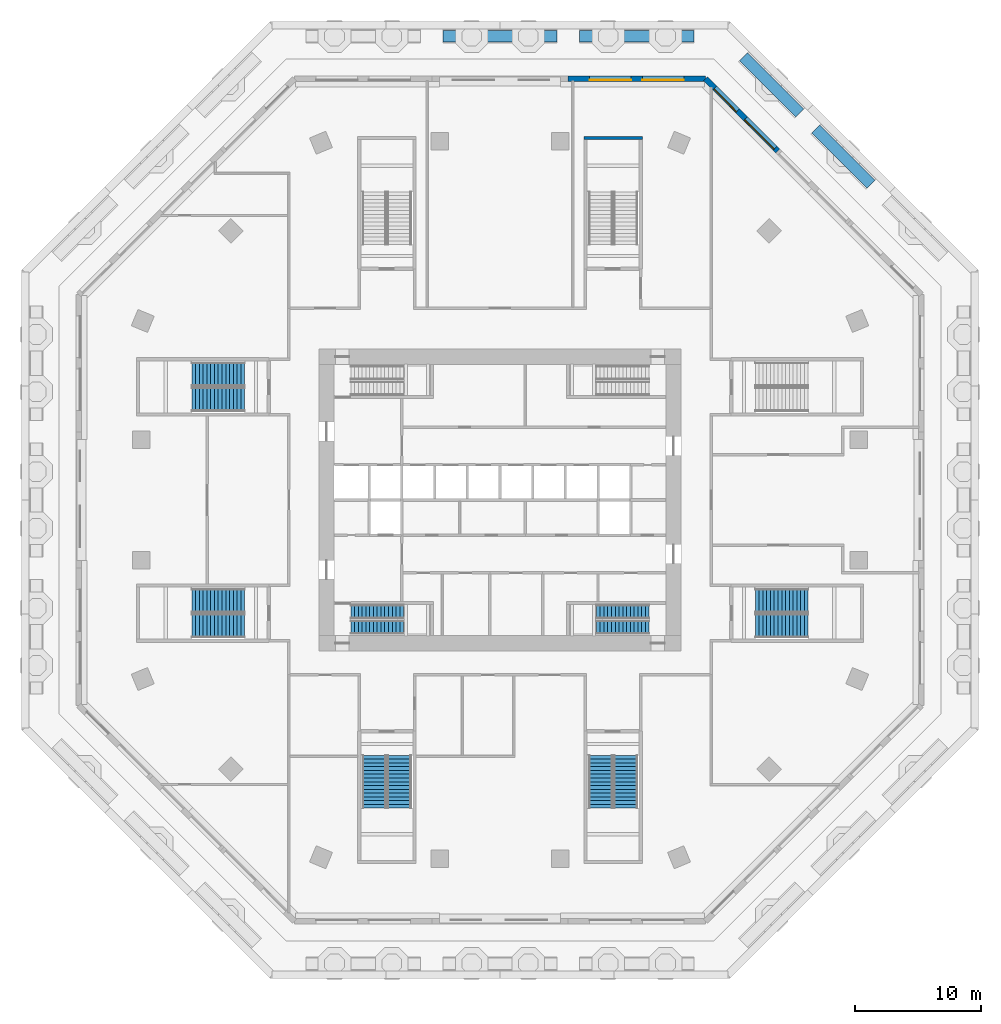
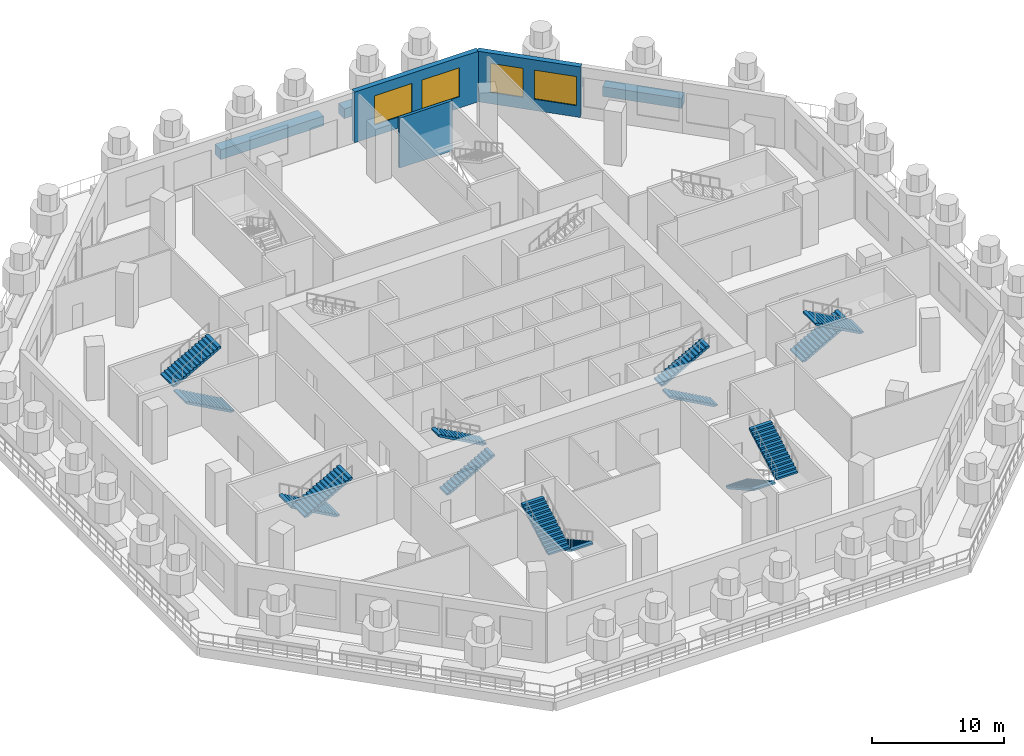
# One storey, part 9 of 13: 14 stair flights, 7 walls, 4 windows, 4 openings, 7 elements without a shape of their own.
"""IFC4 building model written with IfcOpenShell, lengths in metres."""

from ifc_helpers import new_model, si_unit, direction, frame, frame_2d, origin, place, context, subcontext, project, spatial, polyline, rectangle, outline, extrude, material, layer, layer_set, type_object, element, fill, aggregate, save


model = new_model("IFC4")

# Units and contexts
model_context = context("Model", 3, precision=1e-05, world=origin(), true_north=direction((0.0, 1.0)))
body_context = subcontext(model_context, "Body", "Model", "MODEL_VIEW")
ifc_project = project(units=[si_unit("LENGTHUNIT", "METRE"), si_unit("AREAUNIT", "SQUARE_METRE"), si_unit("VOLUMEUNIT", "CUBIC_METRE"), si_unit("PLANEANGLEUNIT", "RADIAN"), si_unit("MASSUNIT", "GRAM", prefix="KILO")], contexts=[model_context])

# Site, building, storey
site_placement = place(None, origin())
site = spatial("IfcSite", under=ifc_project, at=site_placement, CompositionType="ELEMENT")
building_placement = place(site_placement, origin())
building = spatial("IfcBuilding", under=site, at=building_placement, Name="Msitu Wima Residences", CompositionType="ELEMENT")
storey_placement = place(building_placement, frame((0.0, 0.0, 16.0)))
storey = spatial("IfcBuildingStorey", under=building, at=storey_placement, Name="L03", CompositionType="ELEMENT", Elevation=16.0)

# Wall, openings, windows
ifc_material_1 = material(Name="Brick (red buff mix), cavity wall of two leaves", Category="masonry")
ifc_layer_1 = layer(ifc_material_1, 0.449951171875)
ifc_layer_set_1 = layer_set([ifc_layer_1], Name="Brick (red buff mix), cavity wall of two leaves")
wall_type_1 = type_object("IfcWallType", Name="Brick infill wall BW450 podium", PredefinedType="ELEMENTEDWALL", material=ifc_layer_set_1)
wall_1_placement = place(storey_placement, frame((22.101806640625, 27.780517578125, 0.0), z_axis=(0.0, 0.0, 1.0), x_axis=(-0.70712180699, 0.707091755064, 0.0)))
wall_1 = element("IfcWall", 1, at=wall_1_placement, inside=storey, type_object=wall_type_1, Name="Brick infill wall L03 NE2", PredefinedType="ELEMENTEDWALL", context=body_context, shape_type="SweptSolid", body=[
    extrude(rectangle(XDim=8.1240234375, YDim=0.449951171875, at=frame_2d((4.06201171875, 0.0))), origin(), (0.0, 0.0, 1.0), 4.699951171875),
])
opening_1_placement = place(wall_1_placement, frame((0.31201171875, 0.0, 1.050048828125)))
opening_1 = element("IfcOpeningElement", 2, at=opening_1_placement, cuts=wall_1, Name="Opening W03.014", PredefinedType="OPENING", context=body_context, shape_type="SweptSolid", body=[
    extrude(rectangle(XDim=3.300048828125, YDim=2.699951171875, at=frame_2d((1.64990234375, 1.35009765625))), frame((0.0, 0.23486328125, 0.0), z_axis=(0.0, -1.0, 0.0), x_axis=(1.0, 0.0, 0.0)), (0.0, 0.0, 1.0), 0.469970703125),
])
opening_2_placement = place(wall_1_placement, frame((4.511962890625, 0.0, 1.050048828125)))
opening_2 = element("IfcOpeningElement", 3, at=opening_2_placement, cuts=wall_1, Name="Opening W03.015", PredefinedType="OPENING", context=body_context, shape_type="SweptSolid", body=[
    extrude(rectangle(XDim=2.56005859375, YDim=2.699951171875, at=frame_2d((1.280029296875, 1.35009765625))), frame((0.0, 0.23486328125, 0.0), z_axis=(0.0, -1.0, 0.0), x_axis=(1.0, 0.0, 0.0)), (0.0, 0.0, 1.0), 0.469970703125),
])
ifc_material_2 = material(Name="Anodised aluminium, bronze finish, clear low-emissivity double glazing", Category="aluminium")
window_type_1 = type_object("IfcWindowType", Name="Window W2560x2700", PartitioningType="DOUBLE_PANEL_VERTICAL", PredefinedType="WINDOW", material=ifc_material_2)
window_1_placement = place(opening_2_placement, origin())
window_1 = element("IfcWindow", 4, at=window_1_placement, inside=storey, type_object=window_type_1, Name="Window L03 NE2.2a", OverallHeight=2.699951171875, OverallWidth=2.56005859375, PartitioningType="SINGLE_PANEL", PredefinedType="WINDOW", context=body_context, shape_type="SweptSolid", body=[
    extrude(rectangle(XDim=2.56005859375, YDim=2.699951171875, at=frame_2d((1.280029296875, 1.35009765625))), frame((0.0, 0.135009765625, 0.0), z_axis=(0.0, -1.0, 0.0), x_axis=(1.0, 0.0, 0.0)), (0.0, 0.0, 1.0), 0.06005859375),
])
fill(opening_2, window_1)
window_type_2 = type_object("IfcWindowType", Name="Window W3300x2700", PartitioningType="DOUBLE_PANEL_VERTICAL", PredefinedType="WINDOW", material=ifc_material_2)
window_2_placement = place(opening_1_placement, origin())
window_2 = element("IfcWindow", 5, at=window_2_placement, inside=storey, type_object=window_type_2, Name="Window L03 NE2.1", OverallHeight=2.699951171875, OverallWidth=3.300048828125, PartitioningType="SINGLE_PANEL", PredefinedType="WINDOW", context=body_context, shape_type="SweptSolid", body=[
    extrude(rectangle(XDim=3.300048828125, YDim=2.699951171875, at=frame_2d((1.64990234375, 1.35009765625))), frame((0.0, 0.135009765625, 0.0), z_axis=(0.0, -1.0, 0.0), x_axis=(1.0, 0.0, 0.0)), (0.0, 0.0, 1.0), 0.06005859375),
])
fill(opening_1, window_2)

wall_2_placement = place(storey_placement, frame((16.357177734375, 33.52490234375, 0.0), z_axis=(0.0, 0.0, 1.0), x_axis=(-1.0, 0.0, 0.0)))
wall_2 = element("IfcWall", 6, at=wall_2_placement, inside=storey, type_object=wall_type_1, Name="Brick infill wall L03 N0", PredefinedType="ELEMENTEDWALL", context=body_context, shape_type="SweptSolid", body=[
    extrude(rectangle(XDim=10.935791015625, YDim=0.449951171875, at=frame_2d((5.4677734375, 0.0))), origin(), (0.0, 0.0, 1.0), 4.699951171875),
])
opening_3_placement = place(wall_2_placement, frame((1.718017578125, 0.0, 1.050048828125)))
opening_3 = element("IfcOpeningElement", 7, at=opening_3_placement, cuts=wall_2, Name="Opening W03.006", PredefinedType="OPENING", context=body_context, shape_type="SweptSolid", body=[
    extrude(rectangle(XDim=3.300048828125, YDim=2.699951171875, at=frame_2d((1.64990234375, 1.35009765625))), frame((0.0, 0.23486328125, 0.0), z_axis=(0.0, -1.0, 0.0), x_axis=(1.0, 0.0, 0.0)), (0.0, 0.0, 1.0), 0.469970703125),
])
opening_4_placement = place(wall_2_placement, frame((5.91796875, 0.0, 1.050048828125)))
opening_4 = element("IfcOpeningElement", 8, at=opening_4_placement, cuts=wall_2, Name="Opening W03.007", PredefinedType="OPENING", context=body_context, shape_type="SweptSolid", body=[
    extrude(rectangle(XDim=3.300048828125, YDim=2.699951171875, at=frame_2d((1.64990234375, 1.35009765625))), frame((0.0, 0.23486328125, 0.0), z_axis=(0.0, -1.0, 0.0), x_axis=(1.0, 0.0, 0.0)), (0.0, 0.0, 1.0), 0.469970703125),
])
window_3_placement = place(opening_3_placement, origin())
window_3 = element("IfcWindow", 9, at=window_3_placement, inside=storey, type_object=window_type_2, Name="Window L03 N0.1", OverallHeight=2.699951171875, OverallWidth=3.300048828125, PartitioningType="SINGLE_PANEL", PredefinedType="WINDOW", context=body_context, shape_type="SweptSolid", body=[
    extrude(rectangle(XDim=3.300048828125, YDim=2.699951171875, at=frame_2d((1.64990234375, 1.35009765625))), frame((0.0, 0.135009765625, 0.0), z_axis=(0.0, -1.0, 0.0), x_axis=(1.0, 0.0, 0.0)), (0.0, 0.0, 1.0), 0.06005859375),
])
fill(opening_3, window_3)
window_4_placement = place(opening_4_placement, origin())
window_4 = element("IfcWindow", 10, at=window_4_placement, inside=storey, type_object=window_type_2, Name="Window L03 N0.2", OverallHeight=2.699951171875, OverallWidth=3.300048828125, PartitioningType="SINGLE_PANEL", PredefinedType="WINDOW", context=body_context, shape_type="SweptSolid", body=[
    extrude(rectangle(XDim=3.300048828125, YDim=2.699951171875, at=frame_2d((1.64990234375, 1.35009765625))), frame((0.0, 0.135009765625, 0.0), z_axis=(0.0, -1.0, 0.0), x_axis=(1.0, 0.0, 0.0)), (0.0, 0.0, 1.0), 0.06005859375),
])
fill(opening_4, window_4)

# Walls
ifc_material_3 = material(Name="Concrete C50/60", Category="concrete")
ifc_layer_2 = layer(ifc_material_3, 0.25)
ifc_layer_set_2 = layer_set([ifc_layer_2], Name="Concrete C50/60")
wall_type_2 = type_object("IfcWallType", Name="Stair enclosure wall SW250", PredefinedType="SHEAR", material=ifc_layer_set_2)
wall_3_placement = place(storey_placement, frame((6.675048828125, 28.800048828125, 0.0), z_axis=(0.0, 0.0, 1.0), x_axis=(1.0, 0.0, 0.0)))
element("IfcWall", 11, at=wall_3_placement, inside=storey, type_object=wall_type_2, Name="Stair enclosure wall", PredefinedType="SHEAR", context=body_context, shape_type="SweptSolid", body=[
    extrude(rectangle(XDim=4.64990234375, YDim=0.25, at=frame_2d((2.324951171875, 0.0))), origin(), (0.0, 0.0, 1.0), 4.64990234375),
])
ifc_material_4 = material(Name="Facing brick")
ifc_layer_3 = layer(ifc_material_4, 0.06494140625, Name="Facing brick")
ifc_material_5 = material(Name="Concrete C40/50", Category="concrete")
ifc_layer_4 = layer(ifc_material_5, 0.381103515625, Name="Concrete C40/50")
ifc_material_6 = material(Name="Waterproofing membrane")
ifc_layer_5 = layer(ifc_material_6, 0.00390625, Name="Waterproofing membrane")
ifc_material_7 = material(Name="Planting soil and planting")
ifc_layer_6 = layer(ifc_material_7, 0.449951171875, Name="Planting soil and planting")
ifc_layer_set_3 = layer_set([ifc_layer_3, ifc_layer_4, ifc_layer_5, ifc_layer_6], Name="Concrete C40/50")
wall_type_3 = type_object("IfcWallType", Name="Terrace planter PLANTER PL900", PredefinedType="USERDEFINED", material=ifc_layer_set_3)
wall_4_placement = place(storey_placement, frame((29.530517578125, 25.12451171875, 0.0), z_axis=(0.0, 0.0, 1.0), x_axis=(-0.707106781187, 0.707106781187, 0.0)))
element("IfcWall", 12, at=wall_4_placement, inside=storey, type_object=wall_type_3, Name="Terrace planter L03 NE1", ObjectType="PLANTER", PredefinedType="USERDEFINED", context=body_context, shape_type="SweptSolid", body=[
    extrude(rectangle(XDim=6.23095703125, YDim=0.89990234375, at=frame_2d((3.115478515625, 0.0))), origin(), (0.0, 0.0, 1.0), 0.89990234375),
])
wall_5_placement = place(storey_placement, frame((23.851806640625, 30.80322265625, 0.0), z_axis=(0.0, 0.0, 1.0), x_axis=(-0.70708747847, 0.707126083377, 0.0)))
element("IfcWall", 13, at=wall_5_placement, inside=storey, type_object=wall_type_3, Name="Terrace planter L03 NE2", ObjectType="PLANTER", PredefinedType="USERDEFINED", context=body_context, shape_type="SweptSolid", body=[
    extrude(rectangle(XDim=6.323974609375, YDim=0.89990234375, at=frame_2d((3.162109375, 0.0))), origin(), (0.0, 0.0, 1.0), 0.89990234375),
])
wall_6_placement = place(storey_placement, frame((15.457275390625, 36.89990234375, 0.0), z_axis=(0.0, 0.0, 1.0), x_axis=(-1.0, 0.0, 0.0)))
element("IfcWall", 14, at=wall_6_placement, inside=storey, type_object=wall_type_3, Name="Terrace planter L03 N0", ObjectType="PLANTER", PredefinedType="USERDEFINED", context=body_context, shape_type="SweptSolid", body=[
    extrude(rectangle(XDim=9.135986328125, YDim=0.89990234375, at=frame_2d((4.56787109375, 0.0))), origin(), (0.0, 0.0, 1.0), 0.89990234375),
])
wall_7_placement = place(storey_placement, frame((4.521240234375, 36.89990234375, 0.0), z_axis=(0.0, 0.0, 1.0), x_axis=(-1.0, 0.0, 0.0)))
element("IfcWall", 15, at=wall_7_placement, inside=storey, type_object=wall_type_3, Name="Terrace planter L03 N1", ObjectType="PLANTER", PredefinedType="USERDEFINED", context=body_context, shape_type="SweptSolid", body=[
    extrude(rectangle(XDim=9.04248046875, YDim=0.89990234375, at=frame_2d((4.521240234375, 0.0))), origin(), (0.0, 0.0, 1.0), 0.89990234375),
])

# Stair, stair flights
stair_type_1 = type_object("IfcStairType", Name="Exit stair ES1667-110", PredefinedType="HALF_TURN_STAIR", material=ifc_material_5)
stair_1_placement = place(storey_placement, origin())
stair_1 = element("IfcStair", 16, at=stair_1_placement, inside=storey, type_object=stair_type_1, Name="Exit stair 2", PredefinedType="HALF_TURN_STAIR")
stair_flight_type_1 = type_object("IfcStairFlightType", Name="Exit stair flight ES1667-110", PredefinedType="STRAIGHT", material=ifc_material_5)
stair_flight_1_placement = place(storey_placement, frame((-11.875, -10.125, 0.0), z_axis=(0.0, 0.0, 1.0), x_axis=(1.0, 0.0, 0.0)))
stair_flight_1 = element("IfcStairFlight", 17, at=stair_flight_1_placement, type_object=stair_flight_type_1, Name="S2 flight 1", NumberOfRisers=15, NumberOfTreads=14, PredefinedType="STRAIGHT", RiserHeight=0.166666667, TreadLength=0.3, context=body_context, shape_type="SweptSolid", body=[
    extrude(outline(polyline([(0.0, 0.0), (0.0, 0.166748046875), (0.300048828125, 0.166748046875), (0.300048828125, 0.333251953125), (0.60009765625, 0.333251953125), (0.60009765625, 0.5), (0.89990234375, 0.5), (0.89990234375, 0.666748046875), (1.199951171875, 0.666748046875), (1.199951171875, 0.833251953125), (1.5, 0.833251953125), (1.5, 1.0), (1.800048828125, 1.0), (1.800048828125, 1.166748046875), (2.10009765625, 1.166748046875), (2.10009765625, 1.333251953125), (2.39990234375, 1.333251953125), (2.39990234375, 1.5), (2.699951171875, 1.5), (2.699951171875, 1.666748046875), (3.0, 1.666748046875), (3.0, 1.833251953125), (3.300048828125, 1.833251953125), (3.300048828125, 2.0), (3.60009765625, 2.0), (3.60009765625, 2.166748046875), (3.89990234375, 2.166748046875), (3.89990234375, 2.333251953125), (4.199951171875, 2.333251953125), (4.199951171875, 2.5), (4.199951171875, 2.161865234375), (0.30859375, 0.0), (0.0, 0.0)])), frame((0.0, 0.550048828125, 0.0), z_axis=(0.0, -1.0, 0.0), x_axis=(1.0, 0.0, 0.0)), (0.0, 0.0, 1.0), 1.10009765625),
])
stair_flight_2_placement = place(storey_placement, frame((-7.675048828125, -8.875, 2.5), z_axis=(0.0, 0.0, 1.0), x_axis=(-1.0, 0.0, 0.0)))
stair_flight_2 = element("IfcStairFlight", 18, at=stair_flight_2_placement, type_object=stair_flight_type_1, Name="S2 flight 2", NumberOfRisers=15, NumberOfTreads=14, PredefinedType="STRAIGHT", RiserHeight=0.166666667, TreadLength=0.3, context=body_context, shape_type="SweptSolid", body=[
    extrude(outline(polyline([(0.0, 0.0), (0.0, 0.166748046875), (0.300048828125, 0.166748046875), (0.300048828125, 0.333251953125), (0.60009765625, 0.333251953125), (0.60009765625, 0.5), (0.89990234375, 0.5), (0.89990234375, 0.666748046875), (1.199951171875, 0.666748046875), (1.199951171875, 0.833251953125), (1.5, 0.833251953125), (1.5, 1.0), (1.800048828125, 1.0), (1.800048828125, 1.166748046875), (2.10009765625, 1.166748046875), (2.10009765625, 1.333251953125), (2.39990234375, 1.333251953125), (2.39990234375, 1.5), (2.699951171875, 1.5), (2.699951171875, 1.666748046875), (3.0, 1.666748046875), (3.0, 1.833251953125), (3.300048828125, 1.833251953125), (3.300048828125, 2.0), (3.60009765625, 2.0), (3.60009765625, 2.166748046875), (3.89990234375, 2.166748046875), (3.89990234375, 2.333251953125), (4.199951171875, 2.333251953125), (4.199951171875, 2.5), (4.199951171875, 2.161865234375), (0.30859375, 0.0), (0.0, 0.0)])), frame((0.0, 0.550048828125, 0.0), z_axis=(0.0, -1.0, 0.0), x_axis=(1.0, 0.0, 0.0)), (0.0, 0.0, 1.0), 1.10009765625),
])
aggregate(stair_1, [stair_flight_1, stair_flight_2])

stair_2_placement = place(storey_placement, origin())
stair_2 = element("IfcStair", 19, at=stair_2_placement, inside=storey, type_object=stair_type_1, Name="Exit stair 4", PredefinedType="HALF_TURN_STAIR")
stair_flight_3_placement = place(storey_placement, frame((11.875, -10.125, 0.0), z_axis=(0.0, 0.0, 1.0), x_axis=(-1.0, 0.0, 0.0)))
stair_flight_3 = element("IfcStairFlight", 20, at=stair_flight_3_placement, type_object=stair_flight_type_1, Name="S4 flight 1", NumberOfRisers=15, NumberOfTreads=14, PredefinedType="STRAIGHT", RiserHeight=0.166666667, TreadLength=0.3, context=body_context, shape_type="SweptSolid", body=[
    extrude(outline(polyline([(0.0, 0.0), (0.0, 0.166748046875), (0.300048828125, 0.166748046875), (0.300048828125, 0.333251953125), (0.60009765625, 0.333251953125), (0.60009765625, 0.5), (0.89990234375, 0.5), (0.89990234375, 0.666748046875), (1.199951171875, 0.666748046875), (1.199951171875, 0.833251953125), (1.5, 0.833251953125), (1.5, 1.0), (1.800048828125, 1.0), (1.800048828125, 1.166748046875), (2.10009765625, 1.166748046875), (2.10009765625, 1.333251953125), (2.39990234375, 1.333251953125), (2.39990234375, 1.5), (2.699951171875, 1.5), (2.699951171875, 1.666748046875), (3.0, 1.666748046875), (3.0, 1.833251953125), (3.300048828125, 1.833251953125), (3.300048828125, 2.0), (3.60009765625, 2.0), (3.60009765625, 2.166748046875), (3.89990234375, 2.166748046875), (3.89990234375, 2.333251953125), (4.199951171875, 2.333251953125), (4.199951171875, 2.5), (4.199951171875, 2.161865234375), (0.30859375, 0.0), (0.0, 0.0)])), frame((0.0, 0.550048828125, 0.0), z_axis=(0.0, -1.0, 0.0), x_axis=(1.0, 0.0, 0.0)), (0.0, 0.0, 1.0), 1.10009765625),
])
stair_flight_4_placement = place(storey_placement, frame((7.675048828125, -8.875, 2.5), z_axis=(0.0, 0.0, 1.0), x_axis=(1.0, 0.0, 0.0)))
stair_flight_4 = element("IfcStairFlight", 21, at=stair_flight_4_placement, type_object=stair_flight_type_1, Name="S4 flight 2", NumberOfRisers=15, NumberOfTreads=14, PredefinedType="STRAIGHT", RiserHeight=0.166666667, TreadLength=0.3, context=body_context, shape_type="SweptSolid", body=[
    extrude(outline(polyline([(0.0, 0.0), (0.0, 0.166748046875), (0.300048828125, 0.166748046875), (0.300048828125, 0.333251953125), (0.60009765625, 0.333251953125), (0.60009765625, 0.5), (0.89990234375, 0.5), (0.89990234375, 0.666748046875), (1.199951171875, 0.666748046875), (1.199951171875, 0.833251953125), (1.5, 0.833251953125), (1.5, 1.0), (1.800048828125, 1.0), (1.800048828125, 1.166748046875), (2.10009765625, 1.166748046875), (2.10009765625, 1.333251953125), (2.39990234375, 1.333251953125), (2.39990234375, 1.5), (2.699951171875, 1.5), (2.699951171875, 1.666748046875), (3.0, 1.666748046875), (3.0, 1.833251953125), (3.300048828125, 1.833251953125), (3.300048828125, 2.0), (3.60009765625, 2.0), (3.60009765625, 2.166748046875), (3.89990234375, 2.166748046875), (3.89990234375, 2.333251953125), (4.199951171875, 2.333251953125), (4.199951171875, 2.5), (4.199951171875, 2.161865234375), (0.30859375, 0.0), (0.0, 0.0)])), frame((0.0, 0.550048828125, 0.0), z_axis=(0.0, -1.0, 0.0), x_axis=(1.0, 0.0, 0.0)), (0.0, 0.0, 1.0), 1.10009765625),
])
aggregate(stair_2, [stair_flight_3, stair_flight_4])

stair_type_2 = type_object("IfcStairType", Name="Podium exit stair PX1667-190", PredefinedType="HALF_TURN_STAIR", material=ifc_material_5)
stair_3_placement = place(storey_placement, origin())
stair_3 = element("IfcStair", 22, at=stair_3_placement, inside=storey, type_object=stair_type_2, Name="Podium exit stair 2", PredefinedType="HALF_TURN_STAIR")
stair_flight_type_2 = type_object("IfcStairFlightType", Name="Podium exit stair flight PX1667-190", PredefinedType="STRAIGHT", material=ifc_material_5)
stair_flight_5_placement = place(storey_placement, frame((20.324951171875, -8.0, 0.0), z_axis=(0.0, 0.0, 1.0), x_axis=(1.0, 0.0, 0.0)))
stair_flight_5 = element("IfcStairFlight", 23, at=stair_flight_5_placement, type_object=stair_flight_type_2, Name="PS2 flight 1", NumberOfRisers=15, NumberOfTreads=14, PredefinedType="STRAIGHT", RiserHeight=0.166666667, TreadLength=0.3, context=body_context, shape_type="SweptSolid", body=[
    extrude(outline(polyline([(0.0, 0.0), (0.0, 0.166748046875), (0.300048828125, 0.166748046875), (0.300048828125, 0.333251953125), (0.60009765625, 0.333251953125), (0.60009765625, 0.5), (0.89990234375, 0.5), (0.89990234375, 0.666748046875), (1.199951171875, 0.666748046875), (1.199951171875, 0.833251953125), (1.5, 0.833251953125), (1.5, 1.0), (1.800048828125, 1.0), (1.800048828125, 1.166748046875), (2.10009765625, 1.166748046875), (2.10009765625, 1.333251953125), (2.39990234375, 1.333251953125), (2.39990234375, 1.5), (2.699951171875, 1.5), (2.699951171875, 1.666748046875), (3.0, 1.666748046875), (3.0, 1.833251953125), (3.300048828125, 1.833251953125), (3.300048828125, 2.0), (3.60009765625, 2.0), (3.60009765625, 2.166748046875), (3.89990234375, 2.166748046875), (3.89990234375, 2.333251953125), (4.199951171875, 2.333251953125), (4.199951171875, 2.5), (4.199951171875, 2.161865234375), (0.30859375, 0.0), (0.0, 0.0)])), frame((0.0, 0.949951171875, 0.0), z_axis=(0.0, -1.0, 0.0), x_axis=(1.0, 0.0, 0.0)), (0.0, 0.0, 1.0), 1.89990234375),
])
stair_flight_6_placement = place(storey_placement, frame((24.52490234375, -10.0, 2.5), z_axis=(0.0, 0.0, 1.0), x_axis=(-1.0, 0.0, 0.0)))
stair_flight_6 = element("IfcStairFlight", 24, at=stair_flight_6_placement, type_object=stair_flight_type_2, Name="PS2 flight 2", NumberOfRisers=15, NumberOfTreads=14, PredefinedType="STRAIGHT", RiserHeight=0.166666667, TreadLength=0.3, context=body_context, shape_type="SweptSolid", body=[
    extrude(outline(polyline([(0.0, 0.0), (0.0, 0.166748046875), (0.300048828125, 0.166748046875), (0.300048828125, 0.333251953125), (0.60009765625, 0.333251953125), (0.60009765625, 0.5), (0.89990234375, 0.5), (0.89990234375, 0.666748046875), (1.199951171875, 0.666748046875), (1.199951171875, 0.833251953125), (1.5, 0.833251953125), (1.5, 1.0), (1.800048828125, 1.0), (1.800048828125, 1.166748046875), (2.10009765625, 1.166748046875), (2.10009765625, 1.333251953125), (2.39990234375, 1.333251953125), (2.39990234375, 1.5), (2.699951171875, 1.5), (2.699951171875, 1.666748046875), (3.0, 1.666748046875), (3.0, 1.833251953125), (3.300048828125, 1.833251953125), (3.300048828125, 2.0), (3.60009765625, 2.0), (3.60009765625, 2.166748046875), (3.89990234375, 2.166748046875), (3.89990234375, 2.333251953125), (4.199951171875, 2.333251953125), (4.199951171875, 2.5), (4.199951171875, 2.161865234375), (0.30859375, 0.0), (0.0, 0.0)])), frame((0.0, 0.949951171875, 0.0), z_axis=(0.0, -1.0, 0.0), x_axis=(1.0, 0.0, 0.0)), (0.0, 0.0, 1.0), 1.89990234375),
])
aggregate(stair_3, [stair_flight_5, stair_flight_6])

stair_4_placement = place(storey_placement, origin())
stair_4 = element("IfcStair", 25, at=stair_4_placement, inside=storey, type_object=stair_type_2, Name="Podium exit stair 5", PredefinedType="HALF_TURN_STAIR")
stair_flight_7_placement = place(storey_placement, frame((-20.324951171875, -8.0, 0.0), z_axis=(0.0, 0.0, 1.0), x_axis=(-1.0, 0.0, 0.0)))
stair_flight_7 = element("IfcStairFlight", 26, at=stair_flight_7_placement, type_object=stair_flight_type_2, Name="PS5 flight 1", NumberOfRisers=15, NumberOfTreads=14, PredefinedType="STRAIGHT", RiserHeight=0.166666667, TreadLength=0.3, context=body_context, shape_type="SweptSolid", body=[
    extrude(outline(polyline([(0.0, 0.0), (0.0, 0.166748046875), (0.300048828125, 0.166748046875), (0.300048828125, 0.333251953125), (0.60009765625, 0.333251953125), (0.60009765625, 0.5), (0.89990234375, 0.5), (0.89990234375, 0.666748046875), (1.199951171875, 0.666748046875), (1.199951171875, 0.833251953125), (1.5, 0.833251953125), (1.5, 1.0), (1.800048828125, 1.0), (1.800048828125, 1.166748046875), (2.10009765625, 1.166748046875), (2.10009765625, 1.333251953125), (2.39990234375, 1.333251953125), (2.39990234375, 1.5), (2.699951171875, 1.5), (2.699951171875, 1.666748046875), (3.0, 1.666748046875), (3.0, 1.833251953125), (3.300048828125, 1.833251953125), (3.300048828125, 2.0), (3.60009765625, 2.0), (3.60009765625, 2.166748046875), (3.89990234375, 2.166748046875), (3.89990234375, 2.333251953125), (4.199951171875, 2.333251953125), (4.199951171875, 2.5), (4.199951171875, 2.161865234375), (0.30859375, 0.0), (0.0, 0.0)])), frame((0.0, 0.949951171875, 0.0), z_axis=(0.0, -1.0, 0.0), x_axis=(1.0, 0.0, 0.0)), (0.0, 0.0, 1.0), 1.89990234375),
])
stair_flight_8_placement = place(storey_placement, frame((-24.52490234375, -10.0, 2.5), z_axis=(0.0, 0.0, 1.0), x_axis=(1.0, 0.0, 0.0)))
stair_flight_8 = element("IfcStairFlight", 27, at=stair_flight_8_placement, type_object=stair_flight_type_2, Name="PS5 flight 2", NumberOfRisers=15, NumberOfTreads=14, PredefinedType="STRAIGHT", RiserHeight=0.166666667, TreadLength=0.3, context=body_context, shape_type="SweptSolid", body=[
    extrude(outline(polyline([(0.0, 0.0), (0.0, 0.166748046875), (0.300048828125, 0.166748046875), (0.300048828125, 0.333251953125), (0.60009765625, 0.333251953125), (0.60009765625, 0.5), (0.89990234375, 0.5), (0.89990234375, 0.666748046875), (1.199951171875, 0.666748046875), (1.199951171875, 0.833251953125), (1.5, 0.833251953125), (1.5, 1.0), (1.800048828125, 1.0), (1.800048828125, 1.166748046875), (2.10009765625, 1.166748046875), (2.10009765625, 1.333251953125), (2.39990234375, 1.333251953125), (2.39990234375, 1.5), (2.699951171875, 1.5), (2.699951171875, 1.666748046875), (3.0, 1.666748046875), (3.0, 1.833251953125), (3.300048828125, 1.833251953125), (3.300048828125, 2.0), (3.60009765625, 2.0), (3.60009765625, 2.166748046875), (3.89990234375, 2.166748046875), (3.89990234375, 2.333251953125), (4.199951171875, 2.333251953125), (4.199951171875, 2.5), (4.199951171875, 2.161865234375), (0.30859375, 0.0), (0.0, 0.0)])), frame((0.0, 0.949951171875, 0.0), z_axis=(0.0, -1.0, 0.0), x_axis=(1.0, 0.0, 0.0)), (0.0, 0.0, 1.0), 1.89990234375),
])
aggregate(stair_4, [stair_flight_7, stair_flight_8])

stair_5_placement = place(storey_placement, origin())
stair_5 = element("IfcStair", 28, at=stair_5_placement, inside=storey, type_object=stair_type_2, Name="Podium exit stair 6", PredefinedType="HALF_TURN_STAIR")
stair_flight_9_placement = place(storey_placement, frame((-20.324951171875, 8.0, 0.0), z_axis=(0.0, 0.0, 1.0), x_axis=(-1.0, 0.0, 0.0)))
stair_flight_9 = element("IfcStairFlight", 29, at=stair_flight_9_placement, type_object=stair_flight_type_2, Name="PS6 flight 1", NumberOfRisers=15, NumberOfTreads=14, PredefinedType="STRAIGHT", RiserHeight=0.166666667, TreadLength=0.3, context=body_context, shape_type="SweptSolid", body=[
    extrude(outline(polyline([(0.0, 0.0), (0.0, 0.166748046875), (0.300048828125, 0.166748046875), (0.300048828125, 0.333251953125), (0.60009765625, 0.333251953125), (0.60009765625, 0.5), (0.89990234375, 0.5), (0.89990234375, 0.666748046875), (1.199951171875, 0.666748046875), (1.199951171875, 0.833251953125), (1.5, 0.833251953125), (1.5, 1.0), (1.800048828125, 1.0), (1.800048828125, 1.166748046875), (2.10009765625, 1.166748046875), (2.10009765625, 1.333251953125), (2.39990234375, 1.333251953125), (2.39990234375, 1.5), (2.699951171875, 1.5), (2.699951171875, 1.666748046875), (3.0, 1.666748046875), (3.0, 1.833251953125), (3.300048828125, 1.833251953125), (3.300048828125, 2.0), (3.60009765625, 2.0), (3.60009765625, 2.166748046875), (3.89990234375, 2.166748046875), (3.89990234375, 2.333251953125), (4.199951171875, 2.333251953125), (4.199951171875, 2.5), (4.199951171875, 2.161865234375), (0.30859375, 0.0), (0.0, 0.0)])), frame((0.0, 0.949951171875, 0.0), z_axis=(0.0, -1.0, 0.0), x_axis=(1.0, 0.0, 0.0)), (0.0, 0.0, 1.0), 1.89990234375),
])
stair_flight_10_placement = place(storey_placement, frame((-24.52490234375, 10.0, 2.5), z_axis=(0.0, 0.0, 1.0), x_axis=(1.0, 0.0, 0.0)))
stair_flight_10 = element("IfcStairFlight", 30, at=stair_flight_10_placement, type_object=stair_flight_type_2, Name="PS6 flight 2", NumberOfRisers=15, NumberOfTreads=14, PredefinedType="STRAIGHT", RiserHeight=0.166666667, TreadLength=0.3, context=body_context, shape_type="SweptSolid", body=[
    extrude(outline(polyline([(0.0, 0.0), (0.0, 0.166748046875), (0.300048828125, 0.166748046875), (0.300048828125, 0.333251953125), (0.60009765625, 0.333251953125), (0.60009765625, 0.5), (0.89990234375, 0.5), (0.89990234375, 0.666748046875), (1.199951171875, 0.666748046875), (1.199951171875, 0.833251953125), (1.5, 0.833251953125), (1.5, 1.0), (1.800048828125, 1.0), (1.800048828125, 1.166748046875), (2.10009765625, 1.166748046875), (2.10009765625, 1.333251953125), (2.39990234375, 1.333251953125), (2.39990234375, 1.5), (2.699951171875, 1.5), (2.699951171875, 1.666748046875), (3.0, 1.666748046875), (3.0, 1.833251953125), (3.300048828125, 1.833251953125), (3.300048828125, 2.0), (3.60009765625, 2.0), (3.60009765625, 2.166748046875), (3.89990234375, 2.166748046875), (3.89990234375, 2.333251953125), (4.199951171875, 2.333251953125), (4.199951171875, 2.5), (4.199951171875, 2.161865234375), (0.30859375, 0.0), (0.0, 0.0)])), frame((0.0, 0.949951171875, 0.0), z_axis=(0.0, -1.0, 0.0), x_axis=(1.0, 0.0, 0.0)), (0.0, 0.0, 1.0), 1.89990234375),
])
aggregate(stair_5, [stair_flight_9, stair_flight_10])

stair_6_placement = place(storey_placement, origin())
stair_6 = element("IfcStair", 31, at=stair_6_placement, inside=storey, type_object=stair_type_2, Name="Podium exit stair 7", PredefinedType="HALF_TURN_STAIR")
stair_flight_11_placement = place(storey_placement, frame((8.0, -20.324951171875, 0.0), z_axis=(0.0, 0.0, 1.0), x_axis=(0.0, -1.0, 0.0)))
stair_flight_11 = element("IfcStairFlight", 32, at=stair_flight_11_placement, type_object=stair_flight_type_2, Name="PS7 flight 1", NumberOfRisers=15, NumberOfTreads=14, PredefinedType="STRAIGHT", RiserHeight=0.166666667, TreadLength=0.3, context=body_context, shape_type="SweptSolid", body=[
    extrude(outline(polyline([(0.0, 0.0), (0.0, 0.166748046875), (0.300048828125, 0.166748046875), (0.300048828125, 0.333251953125), (0.60009765625, 0.333251953125), (0.60009765625, 0.5), (0.89990234375, 0.5), (0.89990234375, 0.666748046875), (1.199951171875, 0.666748046875), (1.199951171875, 0.833251953125), (1.5, 0.833251953125), (1.5, 1.0), (1.800048828125, 1.0), (1.800048828125, 1.166748046875), (2.10009765625, 1.166748046875), (2.10009765625, 1.333251953125), (2.39990234375, 1.333251953125), (2.39990234375, 1.5), (2.699951171875, 1.5), (2.699951171875, 1.666748046875), (3.0, 1.666748046875), (3.0, 1.833251953125), (3.300048828125, 1.833251953125), (3.300048828125, 2.0), (3.60009765625, 2.0), (3.60009765625, 2.166748046875), (3.89990234375, 2.166748046875), (3.89990234375, 2.333251953125), (4.199951171875, 2.333251953125), (4.199951171875, 2.5), (4.199951171875, 2.161865234375), (0.30859375, 0.0), (0.0, 0.0)])), frame((0.0, 0.949951171875, 0.0), z_axis=(0.0, -1.0, 0.0), x_axis=(1.0, 0.0, 0.0)), (0.0, 0.0, 1.0), 1.89990234375),
])
stair_flight_12_placement = place(storey_placement, frame((10.0, -24.52490234375, 2.5), z_axis=(0.0, 0.0, 1.0), x_axis=(0.0, 1.0, 0.0)))
stair_flight_12 = element("IfcStairFlight", 33, at=stair_flight_12_placement, type_object=stair_flight_type_2, Name="PS7 flight 2", NumberOfRisers=15, NumberOfTreads=14, PredefinedType="STRAIGHT", RiserHeight=0.166666667, TreadLength=0.3, context=body_context, shape_type="SweptSolid", body=[
    extrude(outline(polyline([(0.0, 0.0), (0.0, 0.166748046875), (0.300048828125, 0.166748046875), (0.300048828125, 0.333251953125), (0.60009765625, 0.333251953125), (0.60009765625, 0.5), (0.89990234375, 0.5), (0.89990234375, 0.666748046875), (1.199951171875, 0.666748046875), (1.199951171875, 0.833251953125), (1.5, 0.833251953125), (1.5, 1.0), (1.800048828125, 1.0), (1.800048828125, 1.166748046875), (2.10009765625, 1.166748046875), (2.10009765625, 1.333251953125), (2.39990234375, 1.333251953125), (2.39990234375, 1.5), (2.699951171875, 1.5), (2.699951171875, 1.666748046875), (3.0, 1.666748046875), (3.0, 1.833251953125), (3.300048828125, 1.833251953125), (3.300048828125, 2.0), (3.60009765625, 2.0), (3.60009765625, 2.166748046875), (3.89990234375, 2.166748046875), (3.89990234375, 2.333251953125), (4.199951171875, 2.333251953125), (4.199951171875, 2.5), (4.199951171875, 2.161865234375), (0.30859375, 0.0), (0.0, 0.0)])), frame((0.0, 0.949951171875, 0.0), z_axis=(0.0, -1.0, 0.0), x_axis=(1.0, 0.0, 0.0)), (0.0, 0.0, 1.0), 1.89990234375),
])
aggregate(stair_6, [stair_flight_11, stair_flight_12])

stair_7_placement = place(storey_placement, origin())
stair_7 = element("IfcStair", 34, at=stair_7_placement, inside=storey, type_object=stair_type_2, Name="Podium exit stair 8", PredefinedType="HALF_TURN_STAIR")
stair_flight_13_placement = place(storey_placement, frame((-8.0, -20.324951171875, 0.0), z_axis=(0.0, 0.0, 1.0), x_axis=(0.0, -1.0, 0.0)))
stair_flight_13 = element("IfcStairFlight", 35, at=stair_flight_13_placement, type_object=stair_flight_type_2, Name="PS8 flight 1", NumberOfRisers=15, NumberOfTreads=14, PredefinedType="STRAIGHT", RiserHeight=0.166666667, TreadLength=0.3, context=body_context, shape_type="SweptSolid", body=[
    extrude(outline(polyline([(0.0, 0.0), (0.0, 0.166748046875), (0.300048828125, 0.166748046875), (0.300048828125, 0.333251953125), (0.60009765625, 0.333251953125), (0.60009765625, 0.5), (0.89990234375, 0.5), (0.89990234375, 0.666748046875), (1.199951171875, 0.666748046875), (1.199951171875, 0.833251953125), (1.5, 0.833251953125), (1.5, 1.0), (1.800048828125, 1.0), (1.800048828125, 1.166748046875), (2.10009765625, 1.166748046875), (2.10009765625, 1.333251953125), (2.39990234375, 1.333251953125), (2.39990234375, 1.5), (2.699951171875, 1.5), (2.699951171875, 1.666748046875), (3.0, 1.666748046875), (3.0, 1.833251953125), (3.300048828125, 1.833251953125), (3.300048828125, 2.0), (3.60009765625, 2.0), (3.60009765625, 2.166748046875), (3.89990234375, 2.166748046875), (3.89990234375, 2.333251953125), (4.199951171875, 2.333251953125), (4.199951171875, 2.5), (4.199951171875, 2.161865234375), (0.30859375, 0.0), (0.0, 0.0)])), frame((0.0, 0.949951171875, 0.0), z_axis=(0.0, -1.0, 0.0), x_axis=(1.0, 0.0, 0.0)), (0.0, 0.0, 1.0), 1.89990234375),
])
stair_flight_14_placement = place(storey_placement, frame((-10.0, -24.52490234375, 2.5), z_axis=(0.0, 0.0, 1.0), x_axis=(0.0, 1.0, 0.0)))
stair_flight_14 = element("IfcStairFlight", 36, at=stair_flight_14_placement, type_object=stair_flight_type_2, Name="PS8 flight 2", NumberOfRisers=15, NumberOfTreads=14, PredefinedType="STRAIGHT", RiserHeight=0.166666667, TreadLength=0.3, context=body_context, shape_type="SweptSolid", body=[
    extrude(outline(polyline([(0.0, 0.0), (0.0, 0.166748046875), (0.300048828125, 0.166748046875), (0.300048828125, 0.333251953125), (0.60009765625, 0.333251953125), (0.60009765625, 0.5), (0.89990234375, 0.5), (0.89990234375, 0.666748046875), (1.199951171875, 0.666748046875), (1.199951171875, 0.833251953125), (1.5, 0.833251953125), (1.5, 1.0), (1.800048828125, 1.0), (1.800048828125, 1.166748046875), (2.10009765625, 1.166748046875), (2.10009765625, 1.333251953125), (2.39990234375, 1.333251953125), (2.39990234375, 1.5), (2.699951171875, 1.5), (2.699951171875, 1.666748046875), (3.0, 1.666748046875), (3.0, 1.833251953125), (3.300048828125, 1.833251953125), (3.300048828125, 2.0), (3.60009765625, 2.0), (3.60009765625, 2.166748046875), (3.89990234375, 2.166748046875), (3.89990234375, 2.333251953125), (4.199951171875, 2.333251953125), (4.199951171875, 2.5), (4.199951171875, 2.161865234375), (0.30859375, 0.0), (0.0, 0.0)])), frame((0.0, 0.949951171875, 0.0), z_axis=(0.0, -1.0, 0.0), x_axis=(1.0, 0.0, 0.0)), (0.0, 0.0, 1.0), 1.89990234375),
])
aggregate(stair_7, [stair_flight_13, stair_flight_14])

save(model, "model.ifc")
